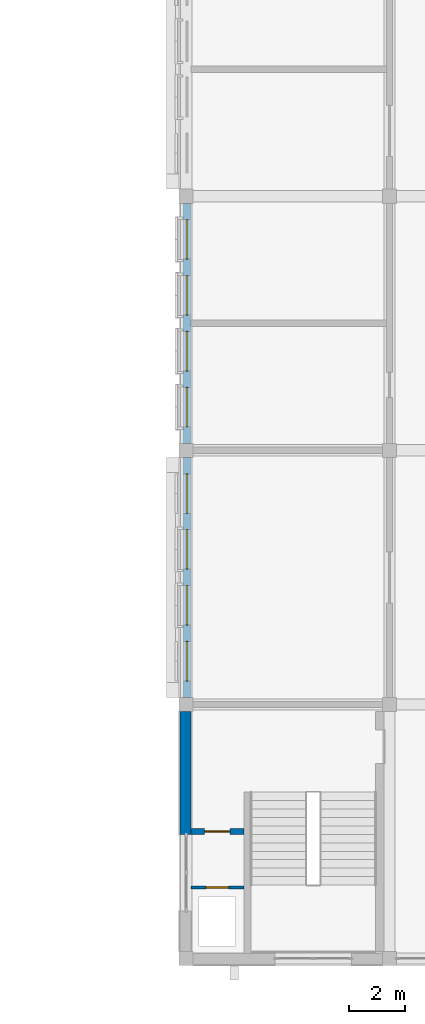
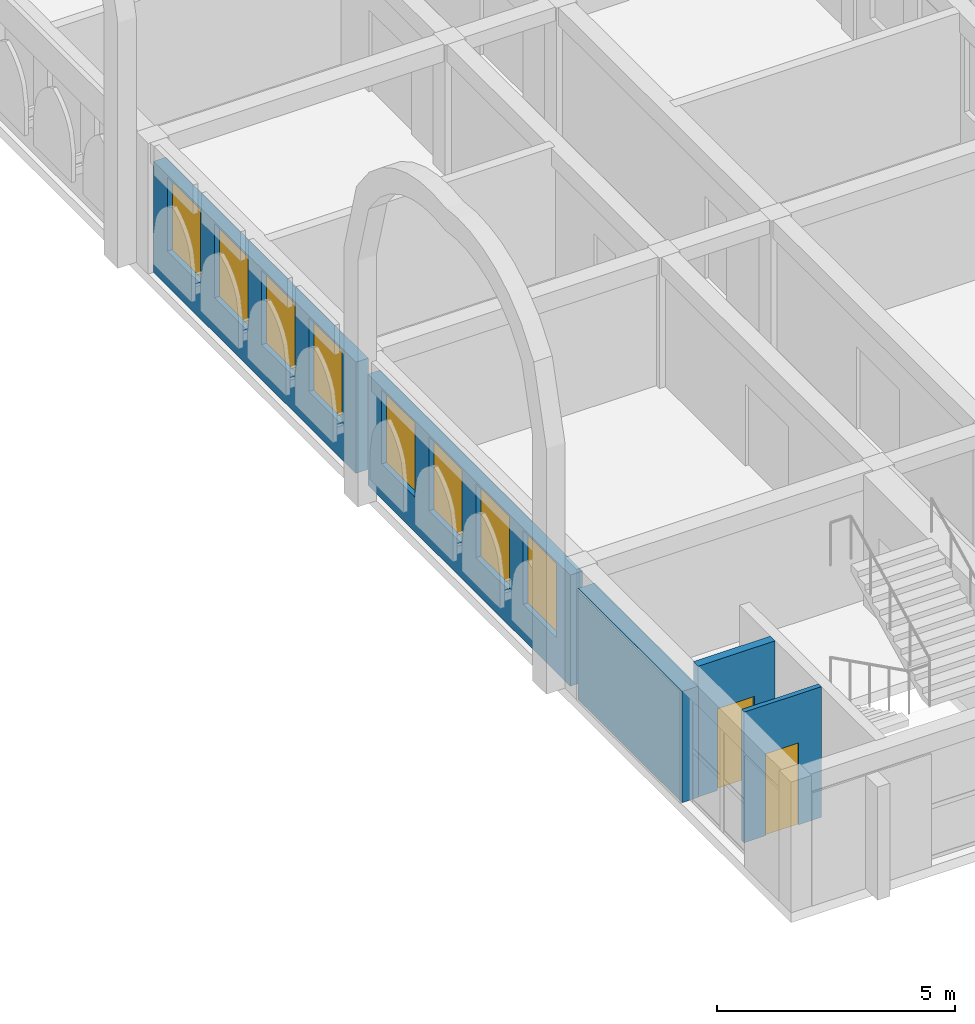
# One storey, part 35 of 65: 8 windows, 5 walls, 2 doors, 10 openings.
"""IFC4 building model written with IfcOpenShell, lengths in metres."""

from ifc_helpers import new_model, si_unit, direction, frame, frame_2d, origin, place, context, subcontext, project, spatial, rectangle, extrude, material, layer, layer_set, type_object, element, fill, save


model = new_model("IFC4")

# Units and contexts
model_context = context("Model", 3, precision=1e-05, world=origin(), true_north=direction((0.0, 1.0)))
body_context = subcontext(model_context, "Body", "Model", "MODEL_VIEW")
ifc_project = project(units=[si_unit("LENGTHUNIT", "METRE"), si_unit("AREAUNIT", "SQUARE_METRE"), si_unit("VOLUMEUNIT", "CUBIC_METRE"), si_unit("PLANEANGLEUNIT", "RADIAN"), si_unit("MASSUNIT", "GRAM", prefix="KILO")], contexts=[model_context])

# Site, building, storey
site_placement = place(None, origin())
site = spatial("IfcSite", under=ifc_project, at=site_placement, CompositionType="ELEMENT")
building_placement = place(site_placement, origin())
building = spatial("IfcBuilding", under=site, at=building_placement, Name="Elbe Cascade School", CompositionType="ELEMENT")
storey_placement = place(building_placement, frame((0.0, 0.0, 11.699951171875)))
storey = spatial("IfcBuildingStorey", under=building, at=storey_placement, Name="L03", CompositionType="ELEMENT", Elevation=11.699951171875)

# Wall, opening, door
ifc_material_1 = material(Name="Masonry - lime-sand block, plastered", Category="masonry")
ifc_layer_1 = layer(ifc_material_1, 0.114990234375)
ifc_layer_set_1 = layer_set([ifc_layer_1], Name="Masonry - lime-sand block, plastered")
wall_type_1 = type_object("IfcWallType", Name="Bar light partition wall lime-sand block 115", PredefinedType="PARTITIONING", material=ifc_layer_set_1)
wall_1_placement = place(storey_placement, frame((71.050048828125, 8.52001953125, 0.0), z_axis=(0.0, 0.0, 1.0), x_axis=(-1.0, 0.0, 0.0)))
wall_1 = element("IfcWall", 1, at=wall_1_placement, inside=storey, type_object=wall_type_1, Name="Bar light partition wall lime-sand block 115", PredefinedType="PARTITIONING", context=body_context, shape_type="SweptSolid", body=[
    extrude(rectangle(XDim=1.8701171875, YDim=0.114990234375, at=frame_2d((0.93505859375, 0.0))), origin(), (0.0, 0.0, 1.0), 3.35009765625),
])
opening_1_placement = place(wall_1_placement, frame((0.550048828125, 0.0, 0.0)))
opening_1 = element("IfcOpeningElement", 2, at=opening_1_placement, cuts=wall_1, Name="Opening D3.001", PredefinedType="OPENING", context=body_context, shape_type="SweptSolid", body=[
    extrude(rectangle(XDim=0.800048828125, YDim=2.10009765625, at=frame_2d((0.39990234375, 1.050048828125))), frame((0.0, 0.0673828125, 0.0), z_axis=(0.0, -1.0, 0.0), x_axis=(1.0, 0.0, 0.0)), (0.0, 0.0, 1.0), 0.135009765625),
])
ifc_material_2 = material(Name="Timber door leaf, steel frame", Category="steel")
door_type_1 = type_object("IfcDoorType", Name="Bar door 800x2100", OperationType="NOTDEFINED", PredefinedType="DOOR", material=ifc_material_2)
door_1_placement = place(opening_1_placement, origin())
door_1 = element("IfcDoor", 3, at=door_1_placement, inside=storey, type_object=door_type_1, Name="Door A3.05", OperationType="SINGLE_SWING_LEFT", OverallHeight=2.10009765625, OverallWidth=0.800048828125, PredefinedType="DOOR", context=body_context, shape_type="SweptSolid", body=[
    extrude(rectangle(XDim=0.800048828125, YDim=2.10009765625, at=frame_2d((0.39990234375, 1.050048828125))), frame((0.0, 0.02490234375, 0.0), z_axis=(0.0, -1.0, 0.0), x_axis=(1.0, 0.0, 0.0)), (0.0, 0.0, 1.0), 0.050048828125),
])
fill(opening_1, door_1)

ifc_material_3 = material(Name="Concrete C30/37", Category="concrete")
ifc_layer_2 = layer(ifc_material_3, 0.199951171875)
ifc_layer_set_2 = layer_set([ifc_layer_2], Name="Concrete C30/37")
wall_type_2 = type_object("IfcWallType", Name="Bar stair lobby wall RC 200", PredefinedType="SOLIDWALL", material=ifc_layer_set_2)
wall_2_placement = place(storey_placement, frame((71.050048828125, 10.5, 0.0), z_axis=(0.0, 0.0, 1.0), x_axis=(-1.0, 0.0, 0.0)))
wall_2 = element("IfcWall", 4, at=wall_2_placement, inside=storey, type_object=wall_type_2, Name="Bar stair lobby wall RC 200", PredefinedType="SOLIDWALL", context=body_context, shape_type="SweptSolid", body=[
    extrude(rectangle(XDim=1.8701171875, YDim=0.199951171875, at=frame_2d((0.93505859375, 0.0))), origin(), (0.0, 0.0, 1.0), 3.35009765625),
])
opening_2_placement = place(wall_2_placement, frame((0.5, 0.0, 0.0)))
opening_2 = element("IfcOpeningElement", 5, at=opening_2_placement, cuts=wall_2, Name="Opening D3.004", PredefinedType="OPENING", context=body_context, shape_type="SweptSolid", body=[
    extrude(rectangle(XDim=0.89990234375, YDim=2.10009765625, at=frame_2d((0.449951171875, 1.050048828125))), frame((0.0, 0.10986328125, 0.0), z_axis=(0.0, -1.0, 0.0), x_axis=(1.0, 0.0, 0.0)), (0.0, 0.0, 1.0), 0.219970703125),
])
ifc_material_4 = material(Name="Timber door leaf, fire-resisting and smoke-tight, steel frame", Category="steel")
door_type_2 = type_object("IfcDoorType", Name="Bar door FD30S 900x2100", OperationType="NOTDEFINED", PredefinedType="DOOR", material=ifc_material_4)
door_2_placement = place(opening_2_placement, origin())
door_2 = element("IfcDoor", 6, at=door_2_placement, inside=storey, type_object=door_type_2, Name="Door A3.04", OperationType="SINGLE_SWING_RIGHT", OverallHeight=2.10009765625, OverallWidth=0.89990234375, PredefinedType="DOOR", context=body_context, shape_type="SweptSolid", body=[
    extrude(rectangle(XDim=0.89990234375, YDim=2.10009765625, at=frame_2d((0.449951171875, 1.050048828125))), frame((0.0, 0.02490234375, 0.0), z_axis=(0.0, -1.0, 0.0), x_axis=(1.0, 0.0, 0.0)), (0.0, 0.0, 1.0), 0.050048828125),
])
fill(opening_2, door_2)

# Wall, openings, windows
ifc_material_5 = material(Name="Brick masonry - red clinker, cavity wall with render backing", Category="masonry")
ifc_layer_3 = layer(ifc_material_5, 0.300048828125)
ifc_layer_set_3 = layer_set([ifc_layer_3], Name="Brick masonry - red clinker, cavity wall with render backing")
wall_type_3 = type_object("IfcWallType", Name="Bars envelope External wall - clinker brick cavity, 300 upper floors", PredefinedType="STANDARD", material=ifc_layer_set_3)
wall_3_placement = place(storey_placement, frame((69.030029296875, 15.25, 0.0), z_axis=(0.0, 0.0, 1.0), x_axis=(0.0, 1.0, 0.0)))
wall_3 = element("IfcWall", 7, at=wall_3_placement, inside=storey, type_object=wall_type_3, Name="External wall W30 A.L03.w2", PredefinedType="STANDARD", context=body_context, shape_type="SweptSolid", body=[
    extrude(rectangle(XDim=8.5, YDim=0.300048828125, at=frame_2d((4.25, 0.0))), origin(), (0.0, 0.0, 1.0), 2.85009765625),
])
opening_3_placement = place(wall_3_placement, frame((0.580078125, 0.0, 0.89990234375)))
opening_3 = element("IfcOpeningElement", 8, at=opening_3_placement, cuts=wall_3, Name="Opening W3.004", PredefinedType="OPENING", context=body_context, shape_type="SweptSolid", body=[
    extrude(rectangle(XDim=1.39990234375, YDim=1.89990234375, at=frame_2d((0.699951171875, 0.949951171875))), frame((0.0, 0.159912109375, 0.0), z_axis=(0.0, -1.0, 0.0), x_axis=(1.0, 0.0, 0.0)), (0.0, 0.0, 1.0), 0.320068359375),
])
opening_4_placement = place(wall_3_placement, frame((2.56005859375, 0.0, 0.89990234375)))
opening_4 = element("IfcOpeningElement", 9, at=opening_4_placement, cuts=wall_3, Name="Opening W3.006", PredefinedType="OPENING", context=body_context, shape_type="SweptSolid", body=[
    extrude(rectangle(XDim=1.39990234375, YDim=1.89990234375, at=frame_2d((0.699951171875, 0.949951171875))), frame((0.0, 0.159912109375, 0.0), z_axis=(0.0, -1.0, 0.0), x_axis=(1.0, 0.0, 0.0)), (0.0, 0.0, 1.0), 0.320068359375),
])
opening_5_placement = place(wall_3_placement, frame((4.5400390625, 0.0, 0.89990234375)))
opening_5 = element("IfcOpeningElement", 10, at=opening_5_placement, cuts=wall_3, Name="Opening W3.008", PredefinedType="OPENING", context=body_context, shape_type="SweptSolid", body=[
    extrude(rectangle(XDim=1.39990234375, YDim=1.89990234375, at=frame_2d((0.699951171875, 0.949951171875))), frame((0.0, 0.159912109375, 0.0), z_axis=(0.0, -1.0, 0.0), x_axis=(1.0, 0.0, 0.0)), (0.0, 0.0, 1.0), 0.320068359375),
])
opening_6_placement = place(wall_3_placement, frame((6.52001953125, 0.0, 0.89990234375)))
opening_6 = element("IfcOpeningElement", 11, at=opening_6_placement, cuts=wall_3, Name="Opening W3.010", PredefinedType="OPENING", context=body_context, shape_type="SweptSolid", body=[
    extrude(rectangle(XDim=1.39990234375, YDim=1.89990234375, at=frame_2d((0.699951171875, 0.949951171875))), frame((0.0, 0.159912109375, 0.0), z_axis=(0.0, -1.0, 0.0), x_axis=(1.0, 0.0, 0.0)), (0.0, 0.0, 1.0), 0.320068359375),
])
ifc_material_6 = material(Name="Aluminium frame with double glazing, bronze anodised", Category="aluminium")
window_type = type_object("IfcWindowType", Name="Bars envelope Window 1400 x 1900, laboratory and office, bench height sill, aluminium double glazed", PartitioningType="DOUBLE_PANEL_VERTICAL", PredefinedType="WINDOW", material=ifc_material_6)
window_1_placement = place(opening_3_placement, origin())
window_1 = element("IfcWindow", 12, at=window_1_placement, inside=storey, type_object=window_type, Name="Window WN6 A.L03.w2.1", OverallHeight=1.89990234375, OverallWidth=1.39990234375, PartitioningType="DOUBLE_PANEL_VERTICAL", PredefinedType="WINDOW", context=body_context, shape_type="SweptSolid", body=[
    extrude(rectangle(XDim=1.39990234375, YDim=1.89990234375, at=frame_2d((0.699951171875, 0.949951171875))), frame((0.0, 0.030029296875, 0.0), z_axis=(0.0, -1.0, 0.0), x_axis=(1.0, 0.0, 0.0)), (0.0, 0.0, 1.0), 0.06005859375),
])
fill(opening_3, window_1)
window_2_placement = place(opening_4_placement, origin())
window_2 = element("IfcWindow", 13, at=window_2_placement, inside=storey, type_object=window_type, Name="Window WN6 A.L03.w2.2", OverallHeight=1.89990234375, OverallWidth=1.39990234375, PartitioningType="DOUBLE_PANEL_VERTICAL", PredefinedType="WINDOW", context=body_context, shape_type="SweptSolid", body=[
    extrude(rectangle(XDim=1.39990234375, YDim=1.89990234375, at=frame_2d((0.699951171875, 0.949951171875))), frame((0.0, 0.030029296875, 0.0), z_axis=(0.0, -1.0, 0.0), x_axis=(1.0, 0.0, 0.0)), (0.0, 0.0, 1.0), 0.06005859375),
])
fill(opening_4, window_2)
window_3_placement = place(opening_5_placement, origin())
window_3 = element("IfcWindow", 14, at=window_3_placement, inside=storey, type_object=window_type, Name="Window WN6 A.L03.w2.3", OverallHeight=1.89990234375, OverallWidth=1.39990234375, PartitioningType="DOUBLE_PANEL_VERTICAL", PredefinedType="WINDOW", context=body_context, shape_type="SweptSolid", body=[
    extrude(rectangle(XDim=1.39990234375, YDim=1.89990234375, at=frame_2d((0.699951171875, 0.949951171875))), frame((0.0, 0.030029296875, 0.0), z_axis=(0.0, -1.0, 0.0), x_axis=(1.0, 0.0, 0.0)), (0.0, 0.0, 1.0), 0.06005859375),
])
fill(opening_5, window_3)
window_4_placement = place(opening_6_placement, origin())
window_4 = element("IfcWindow", 15, at=window_4_placement, inside=storey, type_object=window_type, Name="Window WN6 A.L03.w2.4", OverallHeight=1.89990234375, OverallWidth=1.39990234375, PartitioningType="DOUBLE_PANEL_VERTICAL", PredefinedType="WINDOW", context=body_context, shape_type="SweptSolid", body=[
    extrude(rectangle(XDim=1.39990234375, YDim=1.89990234375, at=frame_2d((0.699951171875, 0.949951171875))), frame((0.0, 0.030029296875, 0.0), z_axis=(0.0, -1.0, 0.0), x_axis=(1.0, 0.0, 0.0)), (0.0, 0.0, 1.0), 0.06005859375),
])
fill(opening_6, window_4)

wall_4_placement = place(storey_placement, frame((69.030029296875, 24.25, 0.0), z_axis=(0.0, 0.0, 1.0), x_axis=(0.0, 1.0, 0.0)))
wall_4 = element("IfcWall", 16, at=wall_4_placement, inside=storey, type_object=wall_type_3, Name="External wall W30 A.L03.w3", PredefinedType="STANDARD", context=body_context, shape_type="SweptSolid", body=[
    extrude(rectangle(XDim=8.5, YDim=0.300048828125, at=frame_2d((4.25, 0.0))), origin(), (0.0, 0.0, 1.0), 2.85009765625),
])
opening_7_placement = place(wall_4_placement, frame((0.580078125, 0.0, 0.89990234375)))
opening_7 = element("IfcOpeningElement", 17, at=opening_7_placement, cuts=wall_4, Name="Opening W3.012", PredefinedType="OPENING", context=body_context, shape_type="SweptSolid", body=[
    extrude(rectangle(XDim=1.39990234375, YDim=1.89990234375, at=frame_2d((0.699951171875, 0.949951171875))), frame((0.0, 0.159912109375, 0.0), z_axis=(0.0, -1.0, 0.0), x_axis=(1.0, 0.0, 0.0)), (0.0, 0.0, 1.0), 0.320068359375),
])
opening_8_placement = place(wall_4_placement, frame((2.56005859375, 0.0, 0.89990234375)))
opening_8 = element("IfcOpeningElement", 18, at=opening_8_placement, cuts=wall_4, Name="Opening W3.014", PredefinedType="OPENING", context=body_context, shape_type="SweptSolid", body=[
    extrude(rectangle(XDim=1.39990234375, YDim=1.89990234375, at=frame_2d((0.699951171875, 0.949951171875))), frame((0.0, 0.159912109375, 0.0), z_axis=(0.0, -1.0, 0.0), x_axis=(1.0, 0.0, 0.0)), (0.0, 0.0, 1.0), 0.320068359375),
])
opening_9_placement = place(wall_4_placement, frame((4.5400390625, 0.0, 0.89990234375)))
opening_9 = element("IfcOpeningElement", 19, at=opening_9_placement, cuts=wall_4, Name="Opening W3.016", PredefinedType="OPENING", context=body_context, shape_type="SweptSolid", body=[
    extrude(rectangle(XDim=1.39990234375, YDim=1.89990234375, at=frame_2d((0.699951171875, 0.949951171875))), frame((0.0, 0.159912109375, 0.0), z_axis=(0.0, -1.0, 0.0), x_axis=(1.0, 0.0, 0.0)), (0.0, 0.0, 1.0), 0.320068359375),
])
opening_10_placement = place(wall_4_placement, frame((6.52001953125, 0.0, 0.89990234375)))
opening_10 = element("IfcOpeningElement", 20, at=opening_10_placement, cuts=wall_4, Name="Opening W3.018", PredefinedType="OPENING", context=body_context, shape_type="SweptSolid", body=[
    extrude(rectangle(XDim=1.39990234375, YDim=1.89990234375, at=frame_2d((0.699951171875, 0.949951171875))), frame((0.0, 0.159912109375, 0.0), z_axis=(0.0, -1.0, 0.0), x_axis=(1.0, 0.0, 0.0)), (0.0, 0.0, 1.0), 0.320068359375),
])
window_5_placement = place(opening_7_placement, origin())
window_5 = element("IfcWindow", 21, at=window_5_placement, inside=storey, type_object=window_type, Name="Window WN6 A.L03.w3.1", OverallHeight=1.89990234375, OverallWidth=1.39990234375, PartitioningType="DOUBLE_PANEL_VERTICAL", PredefinedType="WINDOW", context=body_context, shape_type="SweptSolid", body=[
    extrude(rectangle(XDim=1.39990234375, YDim=1.89990234375, at=frame_2d((0.699951171875, 0.949951171875))), frame((0.0, 0.030029296875, 0.0), z_axis=(0.0, -1.0, 0.0), x_axis=(1.0, 0.0, 0.0)), (0.0, 0.0, 1.0), 0.06005859375),
])
fill(opening_7, window_5)
window_6_placement = place(opening_8_placement, origin())
window_6 = element("IfcWindow", 22, at=window_6_placement, inside=storey, type_object=window_type, Name="Window WN6 A.L03.w3.2", OverallHeight=1.89990234375, OverallWidth=1.39990234375, PartitioningType="DOUBLE_PANEL_VERTICAL", PredefinedType="WINDOW", context=body_context, shape_type="SweptSolid", body=[
    extrude(rectangle(XDim=1.39990234375, YDim=1.89990234375, at=frame_2d((0.699951171875, 0.949951171875))), frame((0.0, 0.030029296875, 0.0), z_axis=(0.0, -1.0, 0.0), x_axis=(1.0, 0.0, 0.0)), (0.0, 0.0, 1.0), 0.06005859375),
])
fill(opening_8, window_6)
window_7_placement = place(opening_9_placement, origin())
window_7 = element("IfcWindow", 23, at=window_7_placement, inside=storey, type_object=window_type, Name="Window WN6 A.L03.w3.3", OverallHeight=1.89990234375, OverallWidth=1.39990234375, PartitioningType="DOUBLE_PANEL_VERTICAL", PredefinedType="WINDOW", context=body_context, shape_type="SweptSolid", body=[
    extrude(rectangle(XDim=1.39990234375, YDim=1.89990234375, at=frame_2d((0.699951171875, 0.949951171875))), frame((0.0, 0.030029296875, 0.0), z_axis=(0.0, -1.0, 0.0), x_axis=(1.0, 0.0, 0.0)), (0.0, 0.0, 1.0), 0.06005859375),
])
fill(opening_9, window_7)
window_8_placement = place(opening_10_placement, origin())
window_8 = element("IfcWindow", 24, at=window_8_placement, inside=storey, type_object=window_type, Name="Window WN6 A.L03.w3.4", OverallHeight=1.89990234375, OverallWidth=1.39990234375, PartitioningType="DOUBLE_PANEL_VERTICAL", PredefinedType="WINDOW", context=body_context, shape_type="SweptSolid", body=[
    extrude(rectangle(XDim=1.39990234375, YDim=1.89990234375, at=frame_2d((0.699951171875, 0.949951171875))), frame((0.0, 0.030029296875, 0.0), z_axis=(0.0, -1.0, 0.0), x_axis=(1.0, 0.0, 0.0)), (0.0, 0.0, 1.0), 0.06005859375),
])
fill(opening_10, window_8)

# Wall
ifc_material_7 = material(Name="Brick masonry - red clinker, solid, sandstone-faced", Category="masonry")
ifc_layer_4 = layer(ifc_material_7, 0.39990234375)
ifc_layer_set_4 = layer_set([ifc_layer_4], Name="Brick masonry - red clinker, solid, sandstone-faced")
wall_type_4 = type_object("IfcWallType", Name="Bars envelope External wall - solid masonry core strip, sandstone faced, 400", PredefinedType="STANDARD", material=ifc_layer_set_4)
wall_5_placement = place(storey_placement, frame((68.97998046875, 10.389892578125, 0.0), z_axis=(0.0, 0.0, 1.0), x_axis=(0.0, 1.0, 0.0)))
element("IfcWall", 25, at=wall_5_placement, inside=storey, type_object=wall_type_4, Name="External wall W31 A.L03.w1b", PredefinedType="STANDARD", context=body_context, shape_type="SweptSolid", body=[
    extrude(rectangle(XDim=4.360107421875, YDim=0.39990234375, at=frame_2d((2.18017578125, 0.0))), origin(), (0.0, 0.0, 1.0), 2.85009765625),
])

save(model, "model.ifc")
